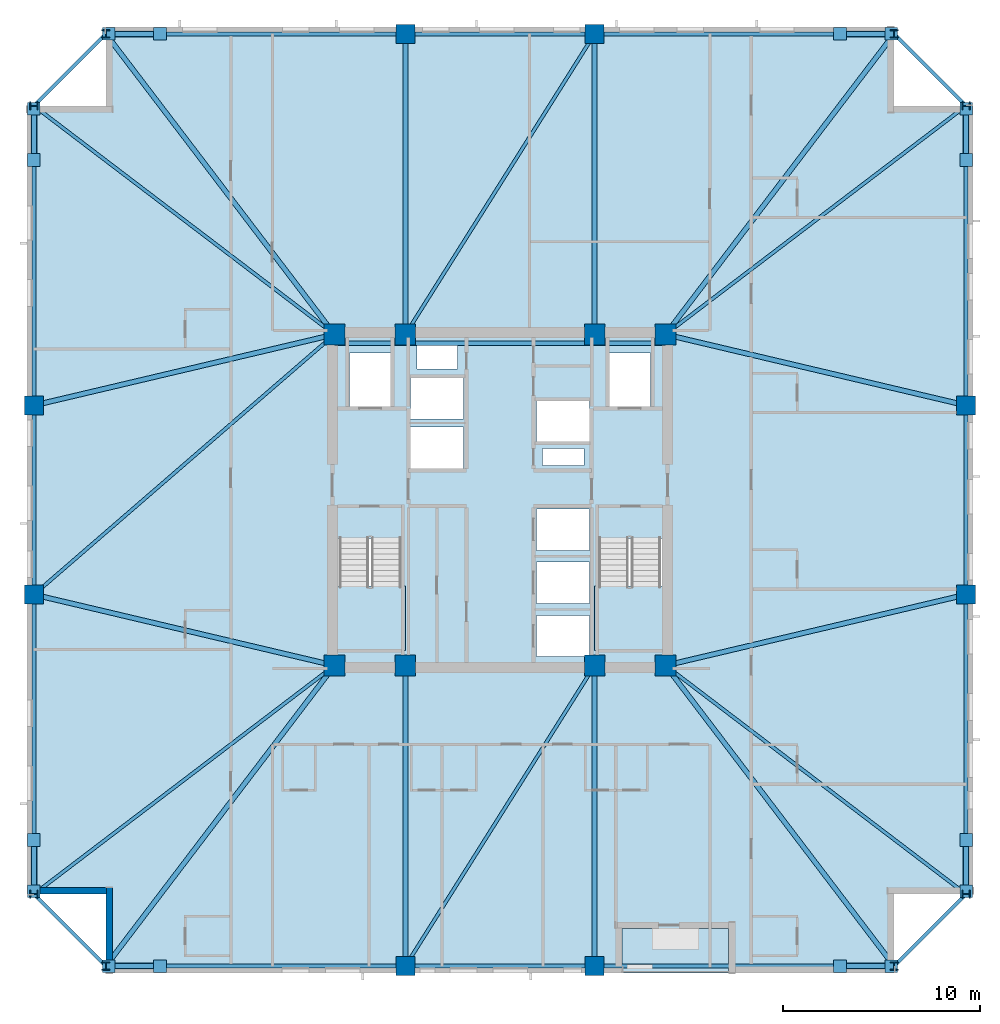
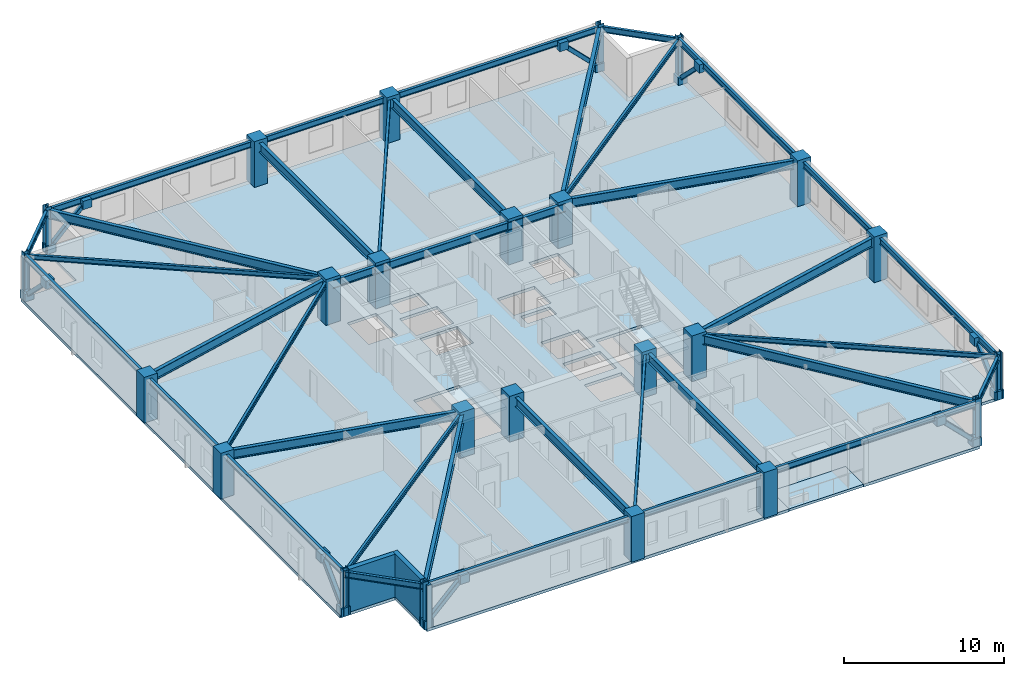
# One storey, part 1 of 11: 38 beams, 24 columns, 16 plates, 8 members, 4 slabs, 2 walls, 2 elements without a shape of their own.
"""IFC4 building model written with IfcOpenShell, lengths in metres."""

from ifc_helpers import new_model, si_unit, direction, frame, frame_2d, origin, origin_2d, place, context, subcontext, project, spatial, polyline, rectangle, hollow_rectangle, i_section, outline, extrude, material, layer, layer_set, material_profile, profile_set, type_object, element, aggregate, save


model = new_model("IFC4")

# Units and contexts
model_context = context("Model", 3, precision=1e-05, world=origin(), true_north=direction((0.0, 1.0)))
body_context = subcontext(model_context, "Body", "Model", "MODEL_VIEW")
ifc_project = project(units=[si_unit("LENGTHUNIT", "METRE"), si_unit("AREAUNIT", "SQUARE_METRE"), si_unit("VOLUMEUNIT", "CUBIC_METRE"), si_unit("PLANEANGLEUNIT", "RADIAN"), si_unit("MASSUNIT", "GRAM", prefix="KILO")], contexts=[model_context])

# Site, building, storey
site_placement = place(None, origin())
site = spatial("IfcSite", under=ifc_project, at=site_placement, CompositionType="ELEMENT")
building_placement = place(site_placement, origin())
building = spatial("IfcBuilding", under=site, at=building_placement, Name="Cairnveth Concourse Tower", CompositionType="ELEMENT")
storey_placement = place(building_placement, frame((0.0, 0.0, 165.5)))
storey = spatial("IfcBuildingStorey", under=building, at=storey_placement, Name="L45", CompositionType="ELEMENT", Elevation=165.5)

# Columns
ifc_material_1 = material(Name="Concrete N65 (65 MPa)", Category="concrete")
ifc_material_profile_1 = material_profile(ifc_material_1, rectangle(XDim=1.050048828125, YDim=1.050048828125, at=origin_2d()), Name="RC-COL-1050x1050")
ifc_profile_set_1 = profile_set([ifc_material_profile_1], Name="Concrete N65 (65 MPa)")
column_type_1 = type_object("IfcColumnType", Name="CORE COLUMN 1050X1050", PredefinedType="COLUMN", material=ifc_profile_set_1)
for number, where, z_axis, x_axis, name in (
    (1, (43.60009765625, 30.60009765625, 0.0), (0.0, 0.0, 1.0), (1.0, 0.0, 0.0), "Column CC1 L45"),
    (2, (47.199951171875, 30.60009765625, 0.0), (0.0, 0.0, 1.0), (1.0, 0.0, 0.0), "Column CC2 L45"),
    (3, (56.800048828125, 30.60009765625, 0.0), (0.0, 0.0, 1.0), (1.0, 0.0, 0.0), "Column CC3 L45"),
    (4, (60.39990234375, 30.60009765625, 0.0), (0.0, 0.0, 1.0), (1.0, 0.0, 0.0), "Column CC4 L45"),
    (5, (43.60009765625, 47.39990234375, 0.0), (0.0, 0.0, 1.0), (1.0, 0.0, 0.0), "Column CC5 L45"),
    (6, (47.199951171875, 47.39990234375, 0.0), (0.0, 0.0, 1.0), (1.0, 0.0, 0.0), "Column CC6 L45"),
    (7, (56.800048828125, 47.39990234375, 0.0), (0.0, 0.0, 1.0), (1.0, 0.0, 0.0), "Column CC7 L45"),
    (8, (60.39990234375, 47.39990234375, 0.0), (0.0, 0.0, 1.0), (1.0, 0.0, 0.0), "Column CC8 L45"),
):
    element("IfcColumn", number, at=place(storey_placement, frame(where, z_axis=z_axis, x_axis=x_axis)), inside=storey, type_object=column_type_1, Name=name, PredefinedType="COLUMN", context=body_context, shape_type="SweptSolid", body=[
        extrude(rectangle(XDim=1.050048828125, YDim=1.050048828125, at=origin_2d()), origin(), (0.0, 0.0, 1.0), 3.5),
    ])
ifc_material_profile_2 = material_profile(ifc_material_1, rectangle(XDim=0.949951171875, YDim=0.949951171875, at=origin_2d()), Name="RC-COL-950x950")
ifc_profile_set_2 = profile_set([ifc_material_profile_2], Name="Concrete N65 (65 MPa)")
column_type_2 = type_object("IfcColumnType", Name="PERIMETER PIER COLUMN 950X950", PredefinedType="COLUMN", material=ifc_profile_set_2)
for number, where, z_axis, x_axis, name in (
    (9, (47.199951171875, 15.35009765625, 0.0), (0.0, 0.0, 1.0), (1.0, 0.0, 0.0), "Column P-S2 L45"),
    (10, (56.800048828125, 15.35009765625, 0.0), (0.0, 0.0, 1.0), (1.0, 0.0, 0.0), "Column P-S3 L45"),
    (11, (75.64990234375, 34.199951171875, 0.0), (0.0, 0.0, 1.0), (0.0, 1.0, 0.0), "Column P-E2 L45"),
    (12, (75.64990234375, 43.800048828125, 0.0), (0.0, 0.0, 1.0), (0.0, 1.0, 0.0), "Column P-E3 L45"),
    (13, (56.800048828125, 62.64990234375, 0.0), (0.0, 0.0, 1.0), (1.0, 0.0, 0.0), "Column P-N2 L45"),
    (14, (47.199951171875, 62.64990234375, 0.0), (0.0, 0.0, 1.0), (1.0, 0.0, 0.0), "Column P-N3 L45"),
    (15, (28.35009765625, 43.800048828125, 0.0), (0.0, 0.0, 1.0), (0.0, 1.0, 0.0), "Column P-W2 L45"),
    (16, (28.35009765625, 34.199951171875, 0.0), (0.0, 0.0, 1.0), (0.0, 1.0, 0.0), "Column P-W3 L45"),
):
    element("IfcColumn", number, at=place(storey_placement, frame(where, z_axis=z_axis, x_axis=x_axis)), inside=storey, type_object=column_type_2, Name=name, PredefinedType="COLUMN", context=body_context, shape_type="SweptSolid", body=[
        extrude(rectangle(XDim=0.949951171875, YDim=0.949951171875, at=origin_2d()), origin(), (0.0, 0.0, 1.0), 3.5),
    ])
ifc_material_2 = material(Name="Steel Grade 350", Category="steel")
ifc_material_profile_3 = material_profile(ifc_material_2, i_section(OverallWidth=0.39990234375, OverallDepth=0.39990234375, WebThickness=0.02197265625, FlangeThickness=0.035888671875, at=origin_2d()), Name="400WC270")
ifc_profile_set_3 = profile_set([ifc_material_profile_3], Name="Steel Grade 350")
column_type_3 = type_object("IfcColumnType", Name="WELDED STEEL COLUMN 400WC270", PredefinedType="COLUMN", material=ifc_profile_set_3)
for number, where, z_axis, x_axis, name in (
    (17, (32.0, 15.35009765625, 0.0), (0.0, 0.0, 1.0), (1.0, 0.0, 0.0), "Column P-S1 L45"),
    (18, (72.0, 15.35009765625, 0.0), (0.0, 0.0, 1.0), (1.0, 0.0, 0.0), "Column P-S4 L45"),
    (19, (75.64990234375, 19.0, 0.0), (0.0, 0.0, 1.0), (0.0, 1.0, 0.0), "Column P-E1 L45"),
    (20, (75.64990234375, 59.0, 0.0), (0.0, 0.0, 1.0), (0.0, 1.0, 0.0), "Column P-E4 L45"),
    (21, (72.0, 62.64990234375, 0.0), (0.0, 0.0, 1.0), (1.0, 0.0, 0.0), "Column P-N1 L45"),
    (22, (32.0, 62.64990234375, 0.0), (0.0, 0.0, 1.0), (1.0, 0.0, 0.0), "Column P-N4 L45"),
    (23, (28.35009765625, 59.0, 0.0), (0.0, 0.0, 1.0), (0.0, 1.0, 0.0), "Column P-W1 L45"),
    (24, (28.35009765625, 19.0, 0.0), (0.0, 0.0, 1.0), (0.0, 1.0, 0.0), "Column P-W4 L45"),
):
    element("IfcColumn", number, at=place(storey_placement, frame(where, z_axis=z_axis, x_axis=x_axis)), inside=storey, type_object=column_type_3, Name=name, PredefinedType="COLUMN", context=body_context, shape_type="SweptSolid", body=[
        extrude(i_section(OverallWidth=0.39990234375, OverallDepth=0.39990234375, WebThickness=0.02197265625, FlangeThickness=0.035888671875, at=origin_2d()), origin(), (0.0, 0.0, 1.0), 3.5),
    ])

# Beams
ifc_material_profile_4 = material_profile(ifc_material_2, i_section(OverallWidth=0.22802734375, OverallDepth=0.60693359375, WebThickness=0.01123046875, FlangeThickness=0.017333984375, FilletRadius=0.013916015625, at=origin_2d()), Name="610UB113")
ifc_profile_set_4 = profile_set([ifc_material_profile_4], Name="Steel Grade 350")
beam_type_1 = type_object("IfcBeamType", Name="CORE TIE BEAM 610UB113", PredefinedType="T_BEAM", material=ifc_profile_set_4)
for number, where, z_axis, x_axis, name in (
    (25, (43.60009765625, 46.949951171875, 2.9765625), (1.0, 0.0, 0.0), (0.0, 1.0, 0.0), "Beam CT-N1 L45"),
    (26, (56.800048828125, 46.949951171875, 2.9765625), (1.0, 0.0, 0.0), (0.0, 1.0, 0.0), "Beam CT-N3 L45"),
):
    element("IfcBeam", number, at=place(storey_placement, frame(where, z_axis=z_axis, x_axis=x_axis)), inside=storey, type_object=beam_type_1, Name=name, PredefinedType="T_BEAM", context=body_context, shape_type="SweptSolid", body=[
        extrude(i_section(OverallWidth=0.22802734375, OverallDepth=0.60693359375, WebThickness=0.01123046875, FlangeThickness=0.017333984375, FilletRadius=0.013916015625, at=origin_2d()), origin(), (0.0, 0.0, 1.0), 3.599853515625),
    ])
beam_1_placement = place(storey_placement, frame((47.199951171875, 46.949951171875, 2.9765625), z_axis=(1.0, 0.0, 0.0), x_axis=(0.0, 1.0, 0.0)))
element("IfcBeam", 27, at=beam_1_placement, inside=storey, type_object=beam_type_1, Name="Beam CT-N2 L45", PredefinedType="T_BEAM", context=body_context, shape_type="SweptSolid", body=[
    extrude(i_section(OverallWidth=0.22802734375, OverallDepth=0.60693359375, WebThickness=0.01123046875, FlangeThickness=0.017333984375, FilletRadius=0.013916015625, at=origin_2d()), origin(), (0.0, 0.0, 1.0), 9.60009765625),
])
ifc_material_profile_5 = material_profile(ifc_material_2, i_section(OverallWidth=0.172119140625, OverallDepth=0.35888671875, WebThickness=0.008056640625, FlangeThickness=0.012939453125, FilletRadius=0.010986328125, at=origin_2d()), Name="360UB56.7")
ifc_profile_set_5 = profile_set([ifc_material_profile_5], Name="Steel Grade 350")
beam_type_2 = type_object("IfcBeamType", Name="ZONE 2 FLOOR JOIST 360UB56.7", PredefinedType="JOIST", material=ifc_profile_set_5)
for number, where, z_axis, x_axis, name in (
    (28, (28.35009765625, 19.0, 3.1005859375), (0.795908242904, 0.6054172684, 0.0), (-0.6054172684, 0.795908242904, 0.0), "Beam FJ-CSW2 L45"),
    (29, (75.64990234375, 19.0, 3.1005859375), (-0.795908242904, 0.6054172684, 0.0), (-0.6054172684, -0.795908242904, 0.0), "Beam FJ-CSE2 L45"),
    (30, (75.64990234375, 59.0, 3.1005859375), (-0.795908242904, -0.6054172684, 0.0), (0.6054172684, -0.795908242904, 0.0), "Beam FJ-CNE2 L45"),
    (31, (28.35009765625, 59.0, 3.1005859375), (0.795908242904, -0.6054172684, 0.0), (0.6054172684, 0.795908242904, 0.0), "Beam FJ-CNW2 L45"),
):
    element("IfcBeam", number, at=place(storey_placement, frame(where, z_axis=z_axis, x_axis=x_axis)), inside=storey, type_object=beam_type_2, Name=name, PredefinedType="JOIST", context=body_context, shape_type="SweptSolid", body=[
        extrude(i_section(OverallWidth=0.172119140625, OverallDepth=0.35888671875, WebThickness=0.008056640625, FlangeThickness=0.012939453125, FilletRadius=0.010986328125, at=origin_2d()), origin(), (0.0, 0.0, 1.0), 19.160400390625),
    ])
for number, where, z_axis, x_axis, name in (
    (32, (47.199951171875, 15.35009765625, 3.1005859375), (0.532743557037, 0.84627672923, 0.0), (-0.84627672923, 0.532743557037, 0.0), "Beam FJ-S-M1 L45"),
    (33, (47.199951171875, 47.39990234375, 3.1005859375), (0.532743557037, 0.84627672923, 0.0), (-0.84627672923, 0.532743557037, 0.0), "Beam FJ-N-M1 L45"),
):
    element("IfcBeam", number, at=place(storey_placement, frame(where, z_axis=z_axis, x_axis=x_axis)), inside=storey, type_object=beam_type_2, Name=name, PredefinedType="JOIST", context=body_context, shape_type="SweptSolid", body=[
        extrude(i_section(OverallWidth=0.172119140625, OverallDepth=0.35888671875, WebThickness=0.008056640625, FlangeThickness=0.012939453125, FilletRadius=0.010986328125, at=origin_2d()), origin(), (0.0, 0.0, 1.0), 18.02001953125),
    ])
beam_2_placement = place(storey_placement, frame((28.35009765625, 34.199951171875, 3.1005859375), z_axis=(0.756099107057, 0.654457134049, 0.0), x_axis=(-0.654457134049, 0.756099107057, 0.0)))
element("IfcBeam", 34, at=beam_2_placement, inside=storey, type_object=beam_type_2, Name="Beam FJ-W-M1 L45", PredefinedType="JOIST", context=body_context, shape_type="SweptSolid", body=[
    extrude(i_section(OverallWidth=0.172119140625, OverallDepth=0.35888671875, WebThickness=0.008056640625, FlangeThickness=0.012939453125, FilletRadius=0.010986328125, at=origin_2d()), origin(), (0.0, 0.0, 1.0), 20.16943359375),
])

# Members
ifc_material_3 = material(Name="Steel C350L0 (350 MPa)", Category="steel")
ifc_material_profile_6 = material_profile(ifc_material_3, hollow_rectangle(XDim=0.300048828125, YDim=0.300048828125, WallThickness=0.01611328125, InnerFilletRadius=0.01611328125, OuterFilletRadius=0.031982421875, at=origin_2d()), Name="300x300x16.0SHS")
ifc_profile_set_6 = profile_set([ifc_material_profile_6], Name="Steel C350L0 (350 MPa)")
member_type = type_object("IfcMemberType", Name="ZONE 2 PIER BRACE 300X300X16SHS", PredefinedType="BRACE", material=ifc_profile_set_6)
for number, where, z_axis, x_axis, name in (
    (35, (32.14990234375, 15.35009765625, 0.25), (0.709834195787, 0.0, 0.704368805735), (0.0, 1.0, 0.0), "Structural Brace PB-S1 L45"),
    (36, (71.85009765625, 15.35009765625, 0.25), (-0.709834195787, 0.0, 0.704368805735), (0.0, -1.0, 0.0), "Structural Brace PB-S2 L45"),
    (37, (32.14990234375, 62.64990234375, 0.25), (0.709834195787, 0.0, 0.704368805735), (0.0, 1.0, 0.0), "Structural Brace PB-N1 L45"),
    (38, (71.85009765625, 62.64990234375, 0.25), (-0.709834195787, 0.0, 0.704368805735), (0.0, -1.0, 0.0), "Structural Brace PB-N2 L45"),
    (39, (28.35009765625, 19.14990234375, 0.25), (0.0, 0.709834195787, 0.704368805735), (-1.0, 0.0, 0.0), "Structural Brace PB-W1 L45"),
    (40, (28.35009765625, 58.85009765625, 0.25), (0.0, -0.709834195787, 0.704368805735), (1.0, 0.0, 0.0), "Structural Brace PB-W2 L45"),
    (41, (75.64990234375, 19.14990234375, 0.25), (0.0, 0.709834195787, 0.704368805735), (-1.0, 0.0, 0.0), "Structural Brace PB-E1 L45"),
    (42, (75.64990234375, 58.85009765625, 0.25), (0.0, -0.709834195787, 0.704368805735), (1.0, 0.0, 0.0), "Structural Brace PB-E2 L45"),
):
    element("IfcMember", number, at=place(storey_placement, frame(where, z_axis=z_axis, x_axis=x_axis)), inside=storey, type_object=member_type, Name=name, PredefinedType="BRACE", context=body_context, shape_type="SweptSolid", body=[
        extrude(hollow_rectangle(XDim=0.300048828125, YDim=0.300048828125, WallThickness=0.01611328125, InnerFilletRadius=0.01611328125, OuterFilletRadius=0.031982421875, at=origin_2d()), origin(), (0.0, 0.0, 1.0), 3.6630859375),
    ])

# Beams
ifc_material_profile_7 = material_profile(ifc_material_2, i_section(OverallWidth=0.25, OverallDepth=0.699951171875, WebThickness=0.011962890625, FlangeThickness=0.028076171875, at=origin_2d()), Name="700WB173")
ifc_profile_set_7 = profile_set([ifc_material_profile_7], Name="Steel Grade 350")
beam_type_3 = type_object("IfcBeamType", Name="ZONE 2 RADIAL GIRDER 700WB173", PredefinedType="BEAM", material=ifc_profile_set_7)
for number, where, z_axis, x_axis, name in (
    (43, (47.199951171875, 15.35009765625, 2.929931640625), (0.0, 1.0, 0.0), (-1.0, 0.0, 0.0), "Beam RG-S1 L45"),
    (44, (56.800048828125, 15.35009765625, 2.929931640625), (0.0, 1.0, 0.0), (-1.0, 0.0, 0.0), "Beam RG-S2 L45"),
    (45, (47.199951171875, 47.39990234375, 2.929931640625), (0.0, 1.0, 0.0), (-1.0, 0.0, 0.0), "Beam RG-N1 L45"),
    (46, (56.800048828125, 47.39990234375, 2.929931640625), (0.0, 1.0, 0.0), (-1.0, 0.0, 0.0), "Beam RG-N2 L45"),
):
    element("IfcBeam", number, at=place(storey_placement, frame(where, z_axis=z_axis, x_axis=x_axis)), inside=storey, type_object=beam_type_3, Name=name, PredefinedType="BEAM", context=body_context, shape_type="SweptSolid", body=[
        extrude(i_section(OverallWidth=0.25, OverallDepth=0.699951171875, WebThickness=0.011962890625, FlangeThickness=0.028076171875, at=origin_2d()), origin(), (0.0, 0.0, 1.0), 15.25),
    ])
for number, where, z_axis, x_axis, name in (
    (47, (28.35009765625, 34.199951171875, 2.929931640625), (0.973251602929, -0.229741849468, 0.0), (0.229741849468, 0.973251602929, 0.0), "Beam RG-W1 L45"),
    (48, (28.35009765625, 43.800048828125, 2.929931640625), (0.973251602929, 0.229741849468, 0.0), (-0.229741849468, 0.973251602929, 0.0), "Beam RG-W2 L45"),
    (49, (60.39990234375, 30.60009765625, 2.929931640625), (0.973251602929, 0.229741849468, 0.0), (-0.229741849468, 0.973251602929, 0.0), "Beam RG-E1 L45"),
    (50, (60.39990234375, 47.39990234375, 2.929931640625), (0.973251602929, -0.229741849468, 0.0), (0.229741849468, 0.973251602929, 0.0), "Beam RG-E2 L45"),
):
    element("IfcBeam", number, at=place(storey_placement, frame(where, z_axis=z_axis, x_axis=x_axis)), inside=storey, type_object=beam_type_3, Name=name, PredefinedType="BEAM", context=body_context, shape_type="SweptSolid", body=[
        extrude(i_section(OverallWidth=0.25, OverallDepth=0.699951171875, WebThickness=0.011962890625, FlangeThickness=0.028076171875, at=origin_2d()), origin(), (0.0, 0.0, 1.0), 15.669189453125),
    ])
for number, where, z_axis, x_axis, name in (
    (51, (32.0, 15.35009765625, 2.929931640625), (0.6054172684, 0.795908242904, 0.0), (-0.795908242904, 0.6054172684, 0.0), "Beam RG-CSW L45"),
    (52, (72.0, 15.35009765625, 2.929931640625), (-0.6054172684, 0.795908242904, 0.0), (-0.795908242904, -0.6054172684, 0.0), "Beam RG-CSE L45"),
    (53, (72.0, 62.64990234375, 2.929931640625), (-0.6054172684, -0.795908242904, 0.0), (0.795908242904, -0.6054172684, 0.0), "Beam RG-CNE L45"),
    (54, (32.0, 62.64990234375, 2.929931640625), (0.6054172684, -0.795908242904, 0.0), (0.795908242904, 0.6054172684, 0.0), "Beam RG-CNW L45"),
):
    element("IfcBeam", number, at=place(storey_placement, frame(where, z_axis=z_axis, x_axis=x_axis)), inside=storey, type_object=beam_type_3, Name=name, PredefinedType="BEAM", context=body_context, shape_type="SweptSolid", body=[
        extrude(i_section(OverallWidth=0.25, OverallDepth=0.699951171875, WebThickness=0.011962890625, FlangeThickness=0.028076171875, at=origin_2d()), origin(), (0.0, 0.0, 1.0), 19.160400390625),
    ])
ifc_material_profile_8 = material_profile(ifc_material_2, i_section(OverallWidth=0.18994140625, OverallDepth=0.45703125, WebThickness=0.009033203125, FlangeThickness=0.014404296875, FilletRadius=0.010986328125, at=origin_2d()), Name="460UB74.6")
ifc_profile_set_8 = profile_set([ifc_material_profile_8], Name="Steel Grade 350")
beam_type_4 = type_object("IfcBeamType", Name="ZONE 2 SPANDREL BEAM 460UB74.6", PredefinedType="SPANDREL", material=ifc_profile_set_8)
beam_3_placement = place(storey_placement, frame((32.0, 15.35009765625, 3.051513671875), z_axis=(1.0, 0.0, 0.0), x_axis=(0.0, 1.0, 0.0)))
element("IfcBeam", 55, at=beam_3_placement, inside=storey, type_object=beam_type_4, Name="Beam SP-S1 L45", PredefinedType="SPANDREL", context=body_context, shape_type="SweptSolid", body=[
    extrude(i_section(OverallWidth=0.18994140625, OverallDepth=0.45703125, WebThickness=0.009033203125, FlangeThickness=0.014404296875, FilletRadius=0.010986328125, at=origin_2d()), origin(), (0.0, 0.0, 1.0), 15.199951171875),
])
beam_4_placement = place(storey_placement, frame((47.199951171875, 15.35009765625, 3.051513671875), z_axis=(1.0, 0.0, 0.0), x_axis=(0.0, 1.0, 0.0)))
element("IfcBeam", 56, at=beam_4_placement, inside=storey, type_object=beam_type_4, Name="Beam SP-S2 L45", PredefinedType="SPANDREL", context=body_context, shape_type="SweptSolid", body=[
    extrude(i_section(OverallWidth=0.18994140625, OverallDepth=0.45703125, WebThickness=0.009033203125, FlangeThickness=0.014404296875, FilletRadius=0.010986328125, at=origin_2d()), origin(), (0.0, 0.0, 1.0), 9.60009765625),
])
for number, where, z_axis, x_axis, name in (
    (57, (56.800048828125, 15.35009765625, 3.051513671875), (1.0, 0.0, 0.0), (0.0, 1.0, 0.0), "Beam SP-S3 L45"),
    (58, (32.0, 62.64990234375, 3.051513671875), (1.0, 0.0, 0.0), (0.0, 1.0, 0.0), "Beam SP-N1 L45"),
):
    element("IfcBeam", number, at=place(storey_placement, frame(where, z_axis=z_axis, x_axis=x_axis)), inside=storey, type_object=beam_type_4, Name=name, PredefinedType="SPANDREL", context=body_context, shape_type="SweptSolid", body=[
        extrude(i_section(OverallWidth=0.18994140625, OverallDepth=0.45703125, WebThickness=0.009033203125, FlangeThickness=0.014404296875, FilletRadius=0.010986328125, at=origin_2d()), origin(), (0.0, 0.0, 1.0), 15.199951171875),
    ])
beam_5_placement = place(storey_placement, frame((47.199951171875, 62.64990234375, 3.051513671875), z_axis=(1.0, 0.0, 0.0), x_axis=(0.0, 1.0, 0.0)))
element("IfcBeam", 59, at=beam_5_placement, inside=storey, type_object=beam_type_4, Name="Beam SP-N2 L45", PredefinedType="SPANDREL", context=body_context, shape_type="SweptSolid", body=[
    extrude(i_section(OverallWidth=0.18994140625, OverallDepth=0.45703125, WebThickness=0.009033203125, FlangeThickness=0.014404296875, FilletRadius=0.010986328125, at=origin_2d()), origin(), (0.0, 0.0, 1.0), 9.60009765625),
])
for number, where, z_axis, x_axis, name in (
    (60, (56.800048828125, 62.64990234375, 3.051513671875), (1.0, 0.0, 0.0), (0.0, 1.0, 0.0), "Beam SP-N3 L45"),
    (61, (28.35009765625, 19.0, 3.051513671875), (0.0, 1.0, 0.0), (-1.0, 0.0, 0.0), "Beam SP-W1 L45"),
):
    element("IfcBeam", number, at=place(storey_placement, frame(where, z_axis=z_axis, x_axis=x_axis)), inside=storey, type_object=beam_type_4, Name=name, PredefinedType="SPANDREL", context=body_context, shape_type="SweptSolid", body=[
        extrude(i_section(OverallWidth=0.18994140625, OverallDepth=0.45703125, WebThickness=0.009033203125, FlangeThickness=0.014404296875, FilletRadius=0.010986328125, at=origin_2d()), origin(), (0.0, 0.0, 1.0), 15.199951171875),
    ])
beam_6_placement = place(storey_placement, frame((28.35009765625, 34.199951171875, 3.051513671875), z_axis=(0.0, 1.0, 0.0), x_axis=(-1.0, 0.0, 0.0)))
element("IfcBeam", 62, at=beam_6_placement, inside=storey, type_object=beam_type_4, Name="Beam SP-W2 L45", PredefinedType="SPANDREL", context=body_context, shape_type="SweptSolid", body=[
    extrude(i_section(OverallWidth=0.18994140625, OverallDepth=0.45703125, WebThickness=0.009033203125, FlangeThickness=0.014404296875, FilletRadius=0.010986328125, at=origin_2d()), origin(), (0.0, 0.0, 1.0), 9.60009765625),
])
for number, where, z_axis, x_axis, name in (
    (63, (28.35009765625, 43.800048828125, 3.051513671875), (0.0, 1.0, 0.0), (-1.0, 0.0, 0.0), "Beam SP-W3 L45"),
    (64, (75.64990234375, 19.0, 3.051513671875), (0.0, 1.0, 0.0), (-1.0, 0.0, 0.0), "Beam SP-E1 L45"),
):
    element("IfcBeam", number, at=place(storey_placement, frame(where, z_axis=z_axis, x_axis=x_axis)), inside=storey, type_object=beam_type_4, Name=name, PredefinedType="SPANDREL", context=body_context, shape_type="SweptSolid", body=[
        extrude(i_section(OverallWidth=0.18994140625, OverallDepth=0.45703125, WebThickness=0.009033203125, FlangeThickness=0.014404296875, FilletRadius=0.010986328125, at=origin_2d()), origin(), (0.0, 0.0, 1.0), 15.199951171875),
    ])
beam_7_placement = place(storey_placement, frame((75.64990234375, 34.199951171875, 3.051513671875), z_axis=(0.0, 1.0, 0.0), x_axis=(-1.0, 0.0, 0.0)))
element("IfcBeam", 65, at=beam_7_placement, inside=storey, type_object=beam_type_4, Name="Beam SP-E2 L45", PredefinedType="SPANDREL", context=body_context, shape_type="SweptSolid", body=[
    extrude(i_section(OverallWidth=0.18994140625, OverallDepth=0.45703125, WebThickness=0.009033203125, FlangeThickness=0.014404296875, FilletRadius=0.010986328125, at=origin_2d()), origin(), (0.0, 0.0, 1.0), 9.60009765625),
])
beam_8_placement = place(storey_placement, frame((75.64990234375, 43.800048828125, 3.051513671875), z_axis=(0.0, 1.0, 0.0), x_axis=(-1.0, 0.0, 0.0)))
element("IfcBeam", 66, at=beam_8_placement, inside=storey, type_object=beam_type_4, Name="Beam SP-E3 L45", PredefinedType="SPANDREL", context=body_context, shape_type="SweptSolid", body=[
    extrude(i_section(OverallWidth=0.18994140625, OverallDepth=0.45703125, WebThickness=0.009033203125, FlangeThickness=0.014404296875, FilletRadius=0.010986328125, at=origin_2d()), origin(), (0.0, 0.0, 1.0), 15.199951171875),
])
for number, where, z_axis, x_axis, name in (
    (67, (28.35009765625, 19.0, 3.051513671875), (0.707106781187, -0.707106781187, 0.0), (0.707106781187, 0.707106781187, 0.0), "Beam SP-SW L45"),
    (68, (72.0, 15.35009765625, 3.051513671875), (0.707106781187, 0.707106781187, 0.0), (-0.707106781187, 0.707106781187, 0.0), "Beam SP-SE L45"),
    (69, (72.0, 62.64990234375, 3.051513671875), (0.707106781187, -0.707106781187, 0.0), (0.707106781187, 0.707106781187, 0.0), "Beam SP-NE L45"),
    (70, (28.35009765625, 59.0, 3.051513671875), (0.707106781187, 0.707106781187, 0.0), (-0.707106781187, 0.707106781187, 0.0), "Beam SP-NW L45"),
):
    element("IfcBeam", number, at=place(storey_placement, frame(where, z_axis=z_axis, x_axis=x_axis)), inside=storey, type_object=beam_type_4, Name=name, PredefinedType="SPANDREL", context=body_context, shape_type="SweptSolid", body=[
        extrude(i_section(OverallWidth=0.18994140625, OverallDepth=0.45703125, WebThickness=0.009033203125, FlangeThickness=0.014404296875, FilletRadius=0.010986328125, at=origin_2d()), origin(), (0.0, 0.0, 1.0), 5.16162109375),
    ])

# Slab
ifc_material_4 = material(Name="Concrete N50 (50 MPa)", Category="concrete")
ifc_layer_1 = layer(ifc_material_4, 0.219970703125)
ifc_layer_set_1 = layer_set([ifc_layer_1], Name="Concrete N50 (50 MPa)")
slab_type_1 = type_object("IfcSlabType", Name="LOWER TOWER COMPOSITE SLAB 220", PredefinedType="FLOOR", material=ifc_layer_set_1)
slab_1_placement = place(storey_placement, frame((0.0, 0.0, -0.219970703125)))
element("IfcSlab", 71, at=slab_1_placement, inside=storey, type_object=slab_type_1, Name="Tower Floor Slab L45", PredefinedType="FLOOR", context=body_context, shape_type="SweptSolid", body=[
    extrude(outline(polyline([(58.199951171875, 15.0), (58.199951171875, 17.25), (63.60009765625, 17.25), (63.60009765625, 15.0), (72.0, 15.0), (72.0, 19.0), (76.0, 19.0), (76.0, 59.0), (72.0, 59.0), (72.0, 63.0), (32.0, 63.0), (32.0, 59.0), (28.0, 59.0), (28.0, 19.0), (32.0, 19.0), (32.0, 15.0), (58.199951171875, 15.0)]), holes=[polyline([(43.760009765625, 31.360107421875), (47.06005859375, 31.360107421875), (47.06005859375, 37.0400390625), (43.760009765625, 37.0400390625), (43.760009765625, 31.360107421875)]), polyline([(56.93994140625, 31.360107421875), (60.239990234375, 31.360107421875), (60.239990234375, 37.0400390625), (56.93994140625, 37.0400390625), (56.93994140625, 31.360107421875)]), polyline([(44.3701171875, 43.75), (46.469970703125, 43.75), (46.469970703125, 46.449951171875), (44.3701171875, 46.449951171875), (44.3701171875, 43.75)]), polyline([(57.530029296875, 43.75), (59.6298828125, 43.75), (59.6298828125, 46.449951171875), (57.530029296875, 46.449951171875), (57.530029296875, 43.75)]), polyline([(53.85009765625, 31.050048828125), (56.550048828125, 31.050048828125), (56.550048828125, 33.14990234375), (53.85009765625, 33.14990234375), (53.85009765625, 31.050048828125)]), polyline([(53.85009765625, 33.75), (56.550048828125, 33.75), (56.550048828125, 35.85009765625), (53.85009765625, 35.85009765625), (53.85009765625, 33.75)]), polyline([(53.85009765625, 36.449951171875), (56.550048828125, 36.449951171875), (56.550048828125, 38.550048828125), (53.85009765625, 38.550048828125), (53.85009765625, 36.449951171875)]), polyline([(47.449951171875, 40.60009765625), (50.14990234375, 40.60009765625), (50.14990234375, 42.699951171875), (47.449951171875, 42.699951171875), (47.449951171875, 40.60009765625)]), polyline([(47.449951171875, 43.10009765625), (50.14990234375, 43.10009765625), (50.14990234375, 45.199951171875), (47.449951171875, 45.199951171875), (47.449951171875, 43.10009765625)]), polyline([(53.85009765625, 41.949951171875), (56.550048828125, 41.949951171875), (56.550048828125, 44.050048828125), (53.85009765625, 44.050048828125), (53.85009765625, 41.949951171875)]), polyline([(47.800048828125, 45.64990234375), (49.85009765625, 45.64990234375), (49.85009765625, 47.050048828125), (47.800048828125, 47.050048828125), (47.800048828125, 45.64990234375)]), polyline([(54.14990234375, 40.75), (56.25, 40.75), (56.25, 41.6201171875), (54.14990234375, 41.6201171875), (54.14990234375, 40.75)])]), origin(), (0.0, 0.0, 1.0), 0.219970703125),
])

# Plates
ifc_layer_2 = layer(ifc_material_2, 0.031982421875)
ifc_layer_set_2 = layer_set([ifc_layer_2], Name="Steel Grade 350")
plate_type = type_object("IfcPlateType", Name="PERIMETER BRACE GUSSET PLATE 32", PredefinedType="USERDEFINED", material=ifc_layer_set_2)
for number, where, z_axis, x_axis, name in (
    (72, (32.14990234375, 15.35009765625, -0.06982421875), (0.0, 0.0, 1.0), (1.0, 0.0, 0.0), "Structural Node Plate 0753 L45"),
    (73, (34.75, 15.35009765625, 2.51025390625), (0.0, 0.0, 1.0), (1.0, 0.0, 0.0), "Structural Node Plate 0754 L45"),
    (74, (71.85009765625, 15.35009765625, -0.06982421875), (0.0, 0.0, 1.0), (1.0, 0.0, 0.0), "Structural Node Plate 0755 L45"),
    (75, (69.25, 15.35009765625, 2.51025390625), (0.0, 0.0, 1.0), (1.0, 0.0, 0.0), "Structural Node Plate 0756 L45"),
    (76, (32.14990234375, 62.64990234375, -0.06982421875), (0.0, 0.0, 1.0), (1.0, 0.0, 0.0), "Structural Node Plate 0757 L45"),
    (77, (34.75, 62.64990234375, 2.51025390625), (0.0, 0.0, 1.0), (1.0, 0.0, 0.0), "Structural Node Plate 0758 L45"),
    (78, (71.85009765625, 62.64990234375, -0.06982421875), (0.0, 0.0, 1.0), (1.0, 0.0, 0.0), "Structural Node Plate 0759 L45"),
    (79, (69.25, 62.64990234375, 2.51025390625), (0.0, 0.0, 1.0), (1.0, 0.0, 0.0), "Structural Node Plate 0760 L45"),
    (80, (28.35009765625, 19.14990234375, -0.06982421875), (0.0, 0.0, 1.0), (1.0, 0.0, 0.0), "Structural Node Plate 0761 L45"),
    (81, (28.35009765625, 21.75, 2.51025390625), (0.0, 0.0, 1.0), (1.0, 0.0, 0.0), "Structural Node Plate 0762 L45"),
    (82, (28.35009765625, 58.85009765625, -0.06982421875), (0.0, 0.0, 1.0), (1.0, 0.0, 0.0), "Structural Node Plate 0763 L45"),
    (83, (28.35009765625, 56.25, 2.51025390625), (0.0, 0.0, 1.0), (1.0, 0.0, 0.0), "Structural Node Plate 0764 L45"),
    (84, (75.64990234375, 19.14990234375, -0.06982421875), (0.0, 0.0, 1.0), (1.0, 0.0, 0.0), "Structural Node Plate 0765 L45"),
    (85, (75.64990234375, 21.75, 2.51025390625), (0.0, 0.0, 1.0), (1.0, 0.0, 0.0), "Structural Node Plate 0766 L45"),
    (86, (75.64990234375, 58.85009765625, -0.06982421875), (0.0, 0.0, 1.0), (1.0, 0.0, 0.0), "Structural Node Plate 0767 L45"),
    (87, (75.64990234375, 56.25, 2.51025390625), (0.0, 0.0, 1.0), (1.0, 0.0, 0.0), "Structural Node Plate 0768 L45"),
):
    element("IfcPlate", number, at=place(storey_placement, frame(where, z_axis=z_axis, x_axis=x_axis)), inside=storey, type_object=plate_type, Name=name, ObjectType="GUSSET PLATE", PredefinedType="USERDEFINED", context=body_context, shape_type="SweptSolid", body=[
        extrude(rectangle(XDim=0.639892578125, YDim=0.639892578125, at=origin_2d()), origin(), (0.0, 0.0, 1.0), 0.639892578125),
    ])

# Slab
ifc_layer_3 = layer(ifc_material_4, 0.18994140625)
ifc_layer_set_3 = layer_set([ifc_layer_3], Name="Concrete N50 (50 MPa)")
slab_type_2 = type_object("IfcSlabType", Name="SPIRAL OUTDOOR TERRACE SLAB 190", PredefinedType="FLOOR", material=ifc_layer_set_3)
slab_2_placement = place(storey_placement, frame((0.0, 0.0, -0.18994140625)))
element("IfcSlab", 88, at=slab_2_placement, inside=storey, type_object=slab_type_2, Name="Spiral Terrace Slab L45", PredefinedType="FLOOR", context=body_context, shape_type="SweptSolid", body=[
    extrude(outline(polyline([(58.199951171875, 15.0), (63.60009765625, 15.0), (63.60009765625, 17.25), (58.199951171875, 17.25), (58.199951171875, 15.0)])), origin(), (0.0, 0.0, 1.0), 0.18994140625),
])

# Stair, slab
ifc_material_5 = material(Name="Precast concrete N50 (50 MPa)", Category="concrete")
stair_type = type_object("IfcStairType", Name="CORE DOG-LEG FIRE STAIR 1500", PredefinedType="HALF_TURN_STAIR", material=ifc_material_5)
stair_1_placement = place(storey_placement, origin())
stair_1 = element("IfcStair", 89, at=stair_1_placement, inside=storey, type_object=stair_type, Name="L45 Fire-Isolated Stair ST-1", PredefinedType="HALF_TURN_STAIR")
ifc_layer_4 = layer(ifc_material_4, 0.199951171875)
ifc_layer_set_4 = layer_set([ifc_layer_4], Name="Concrete N50 (50 MPa)")
slab_type_3 = type_object("IfcSlabType", Name="STAIR HALF LANDING SLAB 200", PredefinedType="LANDING", material=ifc_layer_set_4)
slab_3_placement = place(storey_placement, frame((0.0, 0.0, 1.550048828125)))
slab_3 = element("IfcSlab", 90, at=slab_3_placement, type_object=slab_type_3, Name="ST-1 landing 1", PredefinedType="LANDING", context=body_context, shape_type="SweptSolid", body=[
    extrude(outline(polyline([(43.6201171875, 34.639892578125), (43.6201171875, 31.3701171875), (47.199951171875, 31.3701171875), (47.199951171875, 34.639892578125), (43.6201171875, 34.639892578125)])), origin(), (0.0, 0.0, 1.0), 0.199951171875),
])
aggregate(stair_1, [slab_3])

stair_2_placement = place(storey_placement, origin())
stair_2 = element("IfcStair", 91, at=stair_2_placement, inside=storey, type_object=stair_type, Name="L45 Fire-Isolated Stair ST-2", PredefinedType="HALF_TURN_STAIR")
slab_4_placement = place(storey_placement, frame((0.0, 0.0, 1.550048828125)))
slab_4 = element("IfcSlab", 92, at=slab_4_placement, type_object=slab_type_3, Name="ST-2 landing 1", PredefinedType="LANDING", context=body_context, shape_type="SweptSolid", body=[
    extrude(outline(polyline([(56.800048828125, 34.639892578125), (56.800048828125, 31.3701171875), (60.3798828125, 31.3701171875), (60.3798828125, 34.639892578125), (56.800048828125, 34.639892578125)])), origin(), (0.0, 0.0, 1.0), 0.199951171875),
])
aggregate(stair_2, [slab_4])

# Walls
ifc_material_6 = material(Name="Hawthorn Red-Ochre Fired Clay Brick Masonry", Category="masonry")
ifc_layer_5 = layer(ifc_material_6, 0.340087890625)
ifc_layer_set_5 = layer_set([ifc_layer_5], Name="Hawthorn Red-Ochre Fired Clay Brick Masonry")
wall_type = type_object("IfcWallType", Name="ZONE 2 BRICK PIER SPANDREL WALL 340", PredefinedType="SOLIDWALL", material=ifc_layer_set_5)
wall_1_placement = place(storey_placement, frame((32.169921875, 15.0, 0.0), z_axis=(0.0, 0.0, 1.0), x_axis=(0.0, 1.0, 0.0)))
element("IfcWall", 93, at=wall_1_placement, inside=storey, type_object=wall_type, Name="Exterior Wall EW-L45-S01", PredefinedType="SOLIDWALL", context=body_context, shape_type="SweptSolid", body=[
    extrude(rectangle(XDim=4.340087890625, YDim=0.340087890625, at=frame_2d((2.169921875, 0.0))), origin(), (0.0, 0.0, 1.0), 3.280029296875),
])
wall_2_placement = place(storey_placement, frame((32.02197265625, 19.169921875, 0.0), z_axis=(0.0, 0.0, 1.0), x_axis=(-1.0, 0.0, 0.0)))
element("IfcWall", 94, at=wall_2_placement, inside=storey, type_object=wall_type, Name="Exterior Wall EW-L45-S02", PredefinedType="SOLIDWALL", context=body_context, shape_type="SweptSolid", body=[
    extrude(rectangle(XDim=3.703857421875, YDim=0.340087890625, at=frame_2d((1.85205078125, 0.0))), origin(), (0.0, 0.0, 1.0), 3.280029296875),
])

save(model, "model.ifc")
